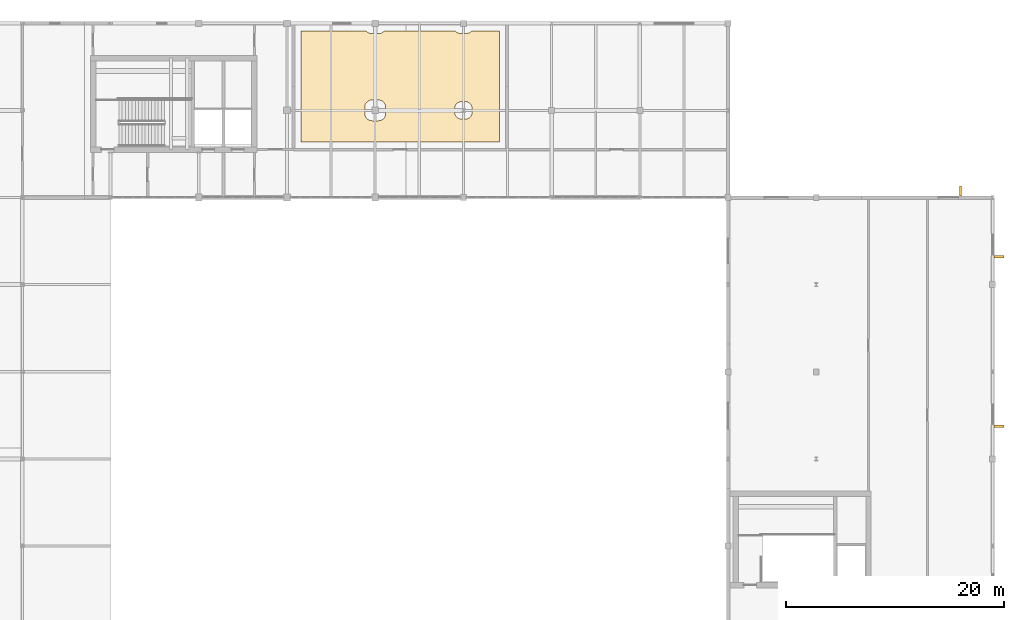
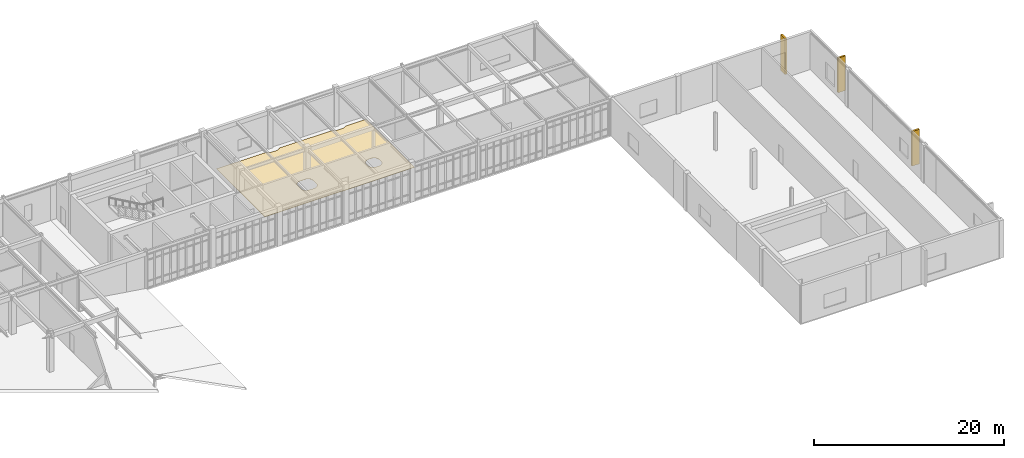
# One storey, part 70 of 70: 3 shading devices, 1 covering.
"""IFC4 building model written with IfcOpenShell, lengths in metres."""

import ifcopenshell
import ifcopenshell.guid

model = None  # the IFC model being written
_history = None  # IfcOwnerHistory: only IFC2X3 demands one
_inside = {}  # id of a spatial element -> (the spatial element, [elements in it])
_under = {}  # id of a project, library or spatial element -> (it, [spatial elements below it])
_declared = {}  # id of a project -> (the project, [libraries it declares])
_typed = {}  # id of a type object -> (the type object, [elements of that type])
_made_of = {}  # id of a material, layer set ... -> (it, [elements and type objects made of it])


def new_model(schema):
    """Start an empty IFC model of exactly this schema.

    Asked for "IFC4X3", IfcOpenShell would pick the latest addendum, in which some entities
    have other attributes; the version numbers below select the first issue.
    IFC2X3 requires an IfcOwnerHistory on every rooted entity: one is made here for all.
    """
    global model, _history
    if schema == "IFC4X3":
        model = ifcopenshell.file(schema_version=(4, 3, 0, 0))
    else:
        model = ifcopenshell.file(schema=schema)
    _inside.clear()
    _under.clear()
    _declared.clear()
    _typed.clear()
    _made_of.clear()
    _history = None
    if model.schema == "IFC2X3":
        org = make("IfcOrganization", Name="unknown")
        user = make(
            "IfcPersonAndOrganization",
            ThePerson=make("IfcPerson", FamilyName="unknown"),
            TheOrganization=org,
        )
        app = make(
            "IfcApplication",
            ApplicationDeveloper=org,
            Version="unknown",
            ApplicationFullName="unknown",
            ApplicationIdentifier="unknown",
        )
        _history = make(
            "IfcOwnerHistory",
            OwningUser=user,
            OwningApplication=app,
            ChangeAction="ADDED",
            CreationDate=0,
        )
    return model


def make(cls, **values):
    """One entity of the class cls with the attributes given. An attribute that is None is left unset."""
    return model.create_entity(
        cls, **{name: value for name, value in values.items() if value is not None}
    )


def rooted(cls, **values):
    """An entity with a GlobalId (a new one), such as an element, a storey or a relation."""
    return make(cls, GlobalId=ifcopenshell.guid.new(), OwnerHistory=_history, **values)


def si_unit(unit_type, name, prefix=None):
    """IfcSIUnit, for example si_unit("LENGTHUNIT", "METRE", prefix="MILLI")."""
    return make("IfcSIUnit", UnitType=unit_type, Prefix=prefix, Name=name)


def assignment(units):
    """IfcUnitAssignment: the units of a project."""
    return None if units is None else make("IfcUnitAssignment", Units=units)


def point(xyz):
    """IfcCartesianPoint."""
    return None if xyz is None else make("IfcCartesianPoint", Coordinates=xyz)


def direction(xyz):
    """IfcDirection."""
    return None if xyz is None else make("IfcDirection", DirectionRatios=xyz)


def frame(location, z_axis=None, x_axis=None):
    """IfcAxis2Placement3D, a coordinate frame: its origin and axes. An axis left out is left unset."""
    return make(
        "IfcAxis2Placement3D",
        Location=point(location),
        Axis=direction(z_axis),
        RefDirection=direction(x_axis),
    )


def frame_2d(location, x_axis=None):
    """IfcAxis2Placement2D, a coordinate frame in the plane: its origin and x axis."""
    return make(
        "IfcAxis2Placement2D", Location=point(location), RefDirection=direction(x_axis)
    )


def origin():
    """The frame at (0, 0, 0) with its axes left unset."""
    return frame((0.0, 0.0, 0.0))


def origin_2d():
    """The frame at (0, 0) in the plane with its x axis left unset."""
    return frame_2d((0.0, 0.0))


def place(relative_to, where):
    """IfcLocalPlacement: puts the frame where relative to a parent placement (None: the world)."""
    return make(
        "IfcLocalPlacement", PlacementRelTo=relative_to, RelativePlacement=where
    )


def context(
    kind, dimensions, precision=None, world=None, true_north=None, identifier=None
):
    """IfcGeometricRepresentationContext, for example the 3D "Model" context."""
    return make(
        "IfcGeometricRepresentationContext",
        ContextIdentifier=identifier,
        ContextType=kind,
        CoordinateSpaceDimension=dimensions,
        Precision=precision,
        WorldCoordinateSystem=world,
        TrueNorth=true_north,
    )


def subcontext(parent, identifier, kind, view, scale=None):
    """IfcGeometricRepresentationSubContext, for example "Body" below "Model"."""
    return make(
        "IfcGeometricRepresentationSubContext",
        ContextIdentifier=identifier,
        ContextType=kind,
        ParentContext=parent,
        TargetScale=scale,
        TargetView=view,
    )


def project(units=None, contexts=None):
    """IfcProject with its units and contexts."""
    return rooted(
        "IfcProject",
        Name="project",
        RepresentationContexts=contexts,
        UnitsInContext=assignment(units),
    )


def spatial(cls, under=None, at=None, **own):
    """A site, building, storey or space (cls), placed at a placement, below another one or the project."""
    s = rooted(cls, ObjectPlacement=at, **own)
    if under is not None:
        _under.setdefault(under.id(), (under, []))[1].append(s)
    return s


def polyline(points):
    """IfcPolyline through the points."""
    return make("IfcPolyline", Points=[point(p) for p in points])


def profile(cls, at=None, kind="AREA", **sizes):
    """A parametric profile (cls). Its sizes go by their IFC names, for example OverallWidth=200.0."""
    return make(cls, ProfileType=kind, Position=at, **sizes)


def rectangle(**sizes):
    """IfcRectangleProfileDef."""
    return profile("IfcRectangleProfileDef", **sizes)


def outline(outer, holes=None, kind="AREA"):
    """IfcArbitraryClosedProfileDef: a profile drawn as a closed curve; with holes, ...WithVoids."""
    if holes is None:
        return make("IfcArbitraryClosedProfileDef", ProfileType=kind, OuterCurve=outer)
    return make(
        "IfcArbitraryProfileDefWithVoids",
        ProfileType=kind,
        OuterCurve=outer,
        InnerCurves=holes,
    )


def extrude(swept, where, along, depth):
    """IfcExtrudedAreaSolid: the profile swept, set in the frame where, extruded along a direction by depth."""
    return make(
        "IfcExtrudedAreaSolid",
        SweptArea=swept,
        Position=where,
        ExtrudedDirection=direction(along),
        Depth=depth,
    )


def shape(context_of_items, identifier, shape_type, items):
    """IfcShapeRepresentation: the items that make up one representation, for example the "Body"."""
    return make(
        "IfcShapeRepresentation",
        ContextOfItems=context_of_items,
        RepresentationIdentifier=identifier,
        RepresentationType=shape_type,
        Items=items,
    )


def material(Name=None, Category=None):
    """IfcMaterial."""
    return make("IfcMaterial", Name=Name, Category=Category)


def layer(
    of_material, thickness, ventilated=None, Name=None, Category=None, Priority=None
):
    """IfcMaterialLayer: one layer of a wall or slab, of a material (None: an air gap)."""
    return make(
        "IfcMaterialLayer",
        Material=of_material,
        LayerThickness=thickness,
        IsVentilated=ventilated,
        Name=Name,
        Category=Category,
        Priority=Priority,
    )


def layer_set(layers, Name=None):
    """IfcMaterialLayerSet."""
    return make("IfcMaterialLayerSet", MaterialLayers=layers, LayerSetName=Name)


def material_profile(
    of_material, cross_section, Name=None, Category=None, Priority=None
):
    """IfcMaterialProfile: a cross section and its material."""
    return make(
        "IfcMaterialProfile",
        Name=Name,
        Material=of_material,
        Profile=cross_section,
        Priority=Priority,
        Category=Category,
    )


def profile_set(profiles, Name=None, composite=None):
    """IfcMaterialProfileSet."""
    return make(
        "IfcMaterialProfileSet",
        Name=Name,
        MaterialProfiles=profiles,
        CompositeProfile=composite,
    )


def made_of(thing, what):
    """Note that an element or type object is made of a material, layer set ...; save() writes the relation."""
    if what is not None:
        _made_of.setdefault(what.id(), (what, []))[1].append(thing)
    return thing


def type_object(cls, material=None, **own):
    """A type object (cls), such as IfcWallType, which elements share."""
    return made_of(rooted(cls, **own), material)


def element(
    cls,
    number,
    at=None,
    inside=None,
    cuts=None,
    type_object=None,
    material=None,
    context=None,
    identifier="Body",
    shape_type=None,
    held_by="IfcProductDefinitionShape",
    body=None,
    shapes=None,
    **own,
):
    """One element of the class cls, such as IfcWall. Its Tag is "e" and its number.

    at: its placement. inside: the storey or other place that contains it. cuts: it is an
    opening in that element (IfcRelVoidsElement). A single representation is given by context,
    identifier, shape_type and body (its items); several are given by shapes. held_by: the class
    of the entity that holds the representations. save() writes the other relations.
    """
    e = rooted(cls, Tag="e%d" % number, ObjectPlacement=at, **own)
    if body is not None:
        shapes = [shape(context, identifier, shape_type, body)]
    if shapes is not None:
        e.Representation = make(held_by, Representations=shapes)
    if inside is not None:
        _inside.setdefault(inside.id(), (inside, []))[1].append(e)
    if cuts is not None:
        rooted(
            "IfcRelVoidsElement", RelatingBuildingElement=cuts, RelatedOpeningElement=e
        )
    if type_object is not None:
        _typed.setdefault(type_object.id(), (type_object, []))[1].append(e)
    return made_of(e, material)


def aggregate(whole, parts):
    """IfcRelAggregates: a whole, such as a stair, and the parts it consists of."""
    return rooted("IfcRelAggregates", RelatingObject=whole, RelatedObjects=parts)


def save(model, path):
    """Write the relations noted so far, then the file.

    IfcRelAggregates (storeys below a building ...), IfcRelContainedInSpatialStructure (elements
    in a storey), IfcRelDefinesByType, IfcRelAssociatesMaterial and IfcRelDeclares: one each for
    every whole, place, type object, material and project.
    """
    for whole, parts in _under.values():
        aggregate(whole, parts)
    for where, things in _inside.values():
        rooted(
            "IfcRelContainedInSpatialStructure",
            RelatedElements=things,
            RelatingStructure=where,
        )
    for kind, things in _typed.values():
        rooted("IfcRelDefinesByType", RelatedObjects=things, RelatingType=kind)
    for what, things in _made_of.values():
        rooted("IfcRelAssociatesMaterial", RelatedObjects=things, RelatingMaterial=what)
    for by, libraries in _declared.values():
        rooted("IfcRelDeclares", RelatingContext=by, RelatedDefinitions=libraries)
    model.write(path)


model = new_model("IFC4")

# Units and contexts
model_context = context("Model", 3, precision=1e-05, world=origin(), true_north=direction((0.0, 1.0)))
body_context = subcontext(model_context, "Body", "Model", "MODEL_VIEW")
ifc_project = project(units=[si_unit("LENGTHUNIT", "METRE"), si_unit("AREAUNIT", "SQUARE_METRE"), si_unit("VOLUMEUNIT", "CUBIC_METRE"), si_unit("PLANEANGLEUNIT", "RADIAN"), si_unit("MASSUNIT", "GRAM", prefix="KILO")], contexts=[model_context])

# Site, building, storey
site_placement = place(None, origin())
site = spatial("IfcSite", under=ifc_project, at=site_placement, CompositionType="ELEMENT")
building_placement = place(site_placement, origin())
building = spatial("IfcBuilding", under=site, at=building_placement, Name="Tarnveldt Square Police Headquarters", CompositionType="ELEMENT")
storey_placement = place(building_placement, frame((0.0, 0.0, 19.800048828125)))
storey = spatial("IfcBuildingStorey", under=building, at=storey_placement, Name="L04", CompositionType="ELEMENT", Elevation=19.800048828125)

# Covering
ifc_material_1 = material(Name="Polished cementitious terrazzo flooring", Category="concrete")
ifc_layer = layer(ifc_material_1, 0.02490234375)
ifc_layer_set = layer_set([ifc_layer], Name="Polished cementitious terrazzo flooring")
covering_type = type_object("IfcCoveringType", Name="COV-FLR-25", PredefinedType="FLOORING", material=ifc_layer_set)
covering_placement = place(storey_placement, origin())
element("IfcCovering", 1, at=covering_placement, inside=storey, type_object=covering_type, Name="Forensic Firearms and Water-Tank Ballistics Laboratory Terrazzo Finish Flooring", PredefinedType="FLOORING", context=body_context, shape_type="SweptSolid", body=[
    extrude(outline(polyline([(72.0849609375, 111.300048828125), (72.095458984375, 111.28564453125), (72.138427734375, 111.23828125), (72.185546875, 111.195556640625), (72.23681640625, 111.157470703125), (72.29150390625, 111.124755859375), (72.349365234375, 111.097412109375), (72.409423828125, 111.075927734375), (72.47119140625, 111.060546875), (72.5341796875, 111.051025390625), (72.597900390625, 111.048095703125), (73.201904296875, 111.048095703125), (73.265625, 111.051025390625), (73.328857421875, 111.060546875), (73.390625, 111.075927734375), (73.45068359375, 111.097412109375), (73.50830078125, 111.124755859375), (73.563232421875, 111.157470703125), (73.6142578125, 111.195556640625), (73.66162109375, 111.23828125), (73.704345703125, 111.28564453125), (73.715087890625, 111.300048828125), (80.230224609375, 111.300048828125), (80.263427734375, 111.263427734375), (80.310546875, 111.220458984375), (80.36181640625, 111.1826171875), (80.41650390625, 111.149658203125), (80.474365234375, 111.12255859375), (80.534423828125, 111.10107421875), (80.59619140625, 111.08544921875), (80.6591796875, 111.076171875), (80.722900390625, 111.072998046875), (81.277099609375, 111.072998046875), (81.3408203125, 111.076171875), (81.40380859375, 111.08544921875), (81.465576171875, 111.10107421875), (81.525634765625, 111.12255859375), (81.58349609375, 111.149658203125), (81.63818359375, 111.1826171875), (81.689453125, 111.220458984375), (81.736572265625, 111.263427734375), (81.769775390625, 111.300048828125), (84.300048828125, 111.300048828125), (84.300048828125, 101.10009765625), (66.10009765625, 101.10009765625), (66.10009765625, 111.300048828125), (72.0849609375, 111.300048828125)]), holes=[polyline([(80.845458984375, 104.805908203125), (80.78173828125, 104.802978515625), (80.71875, 104.79345703125), (80.65673828125, 104.778076171875), (80.5966796875, 104.756591796875), (80.5390625, 104.729248046875), (80.484375, 104.696533203125), (80.43310546875, 104.658447265625), (80.385986328125, 104.61572265625), (80.343017578125, 104.568359375), (80.304931640625, 104.51708984375), (80.272216796875, 104.46240234375), (80.244873046875, 104.40478515625), (80.223388671875, 104.3447265625), (80.2080078125, 104.28271484375), (80.19873046875, 104.2197265625), (80.195556640625, 104.156005859375), (80.195556640625, 103.843994140625), (80.19873046875, 103.7802734375), (80.2080078125, 103.71728515625), (80.223388671875, 103.6552734375), (80.244873046875, 103.59521484375), (80.272216796875, 103.53759765625), (80.304931640625, 103.48291015625), (80.343017578125, 103.431640625), (80.385986328125, 103.38427734375), (80.43310546875, 103.341552734375), (80.484375, 103.303466796875), (80.5390625, 103.270751953125), (80.5966796875, 103.243408203125), (80.65673828125, 103.221923828125), (80.71875, 103.20654296875), (80.78173828125, 103.197021484375), (80.845458984375, 103.194091796875), (81.154541015625, 103.194091796875), (81.21826171875, 103.197021484375), (81.28125, 103.20654296875), (81.34326171875, 103.221923828125), (81.4033203125, 103.243408203125), (81.4609375, 103.270751953125), (81.515625, 103.303466796875), (81.56689453125, 103.341552734375), (81.614013671875, 103.38427734375), (81.656982421875, 103.431640625), (81.695068359375, 103.48291015625), (81.727783203125, 103.53759765625), (81.755126953125, 103.59521484375), (81.776611328125, 103.6552734375), (81.7919921875, 103.71728515625), (81.80126953125, 103.7802734375), (81.804443359375, 103.843994140625), (81.804443359375, 104.156005859375), (81.80126953125, 104.2197265625), (81.7919921875, 104.28271484375), (81.776611328125, 104.3447265625), (81.755126953125, 104.40478515625), (81.727783203125, 104.46240234375), (81.695068359375, 104.51708984375), (81.656982421875, 104.568359375), (81.614013671875, 104.61572265625), (81.56689453125, 104.658447265625), (81.515625, 104.696533203125), (81.4609375, 104.729248046875), (81.4033203125, 104.756591796875), (81.34326171875, 104.778076171875), (81.28125, 104.79345703125), (81.21826171875, 104.802978515625), (81.154541015625, 104.805908203125), (80.845458984375, 104.805908203125)]), polyline([(72.597900390625, 104.951904296875), (72.5341796875, 104.948974609375), (72.47119140625, 104.939453125), (72.409423828125, 104.924072265625), (72.349365234375, 104.902587890625), (72.29150390625, 104.875244140625), (72.23681640625, 104.842529296875), (72.185546875, 104.804443359375), (72.138427734375, 104.76171875), (72.095458984375, 104.71435546875), (72.0576171875, 104.6630859375), (72.024658203125, 104.6083984375), (71.99755859375, 104.55078125), (71.97607421875, 104.49072265625), (71.96044921875, 104.4287109375), (71.951171875, 104.36572265625), (71.947998046875, 104.302001953125), (71.947998046875, 103.697998046875), (71.951171875, 103.63427734375), (71.96044921875, 103.5712890625), (71.97607421875, 103.50927734375), (71.99755859375, 103.44921875), (72.024658203125, 103.3916015625), (72.0576171875, 103.3369140625), (72.095458984375, 103.28564453125), (72.138427734375, 103.23828125), (72.185546875, 103.195556640625), (72.23681640625, 103.157470703125), (72.29150390625, 103.124755859375), (72.349365234375, 103.097412109375), (72.409423828125, 103.075927734375), (72.47119140625, 103.060546875), (72.5341796875, 103.051025390625), (72.597900390625, 103.048095703125), (73.201904296875, 103.048095703125), (73.265625, 103.051025390625), (73.328857421875, 103.060546875), (73.390625, 103.075927734375), (73.45068359375, 103.097412109375), (73.50830078125, 103.124755859375), (73.563232421875, 103.157470703125), (73.6142578125, 103.195556640625), (73.66162109375, 103.23828125), (73.704345703125, 103.28564453125), (73.742431640625, 103.3369140625), (73.775146484375, 103.3916015625), (73.802490234375, 103.44921875), (73.823974609375, 103.50927734375), (73.839599609375, 103.5712890625), (73.848876953125, 103.63427734375), (73.85205078125, 103.697998046875), (73.85205078125, 104.302001953125), (73.848876953125, 104.36572265625), (73.839599609375, 104.4287109375), (73.823974609375, 104.49072265625), (73.802490234375, 104.55078125), (73.775146484375, 104.6083984375), (73.742431640625, 104.6630859375), (73.704345703125, 104.71435546875), (73.66162109375, 104.76171875), (73.6142578125, 104.804443359375), (73.563232421875, 104.842529296875), (73.50830078125, 104.875244140625), (73.45068359375, 104.902587890625), (73.390625, 104.924072265625), (73.328857421875, 104.939453125), (73.265625, 104.948974609375), (73.201904296875, 104.951904296875), (72.597900390625, 104.951904296875)])]), origin(), (0.0, 0.0, 1.0), 0.02490234375),
])

# Shading devices
ifc_material_2 = material(Name="Precast concrete 35 MPa", Category="concrete")
ifc_material_profile = material_profile(ifc_material_2, rectangle(XDim=0.219970703125, YDim=0.89990234375, at=origin_2d()), Name="PC-FIN220x900")
ifc_profile_set = profile_set([ifc_material_profile], Name="Precast concrete 35 MPa")
shading_device_type = type_object("IfcShadingDeviceType", Name="SHD-FIN-900", PredefinedType="USERDEFINED", material=ifc_profile_set)
for number, where, z_axis, x_axis, name in (
    (2, (130.18994140625, 74.9833984375, 0.14990234375), (0.0, 0.0, 1.0), (0.0, 1.0, 0.0), "L04 Precast Deep-Reveal Brutalist Fin 050"),
    (3, (130.18994140625, 90.566650390625, 0.14990234375), (0.0, 0.0, 1.0), (0.0, 1.0, 0.0), "L04 Precast Deep-Reveal Brutalist Fin 051"),
):
    element("IfcShadingDevice", number, at=place(storey_placement, frame(where, z_axis=z_axis, x_axis=x_axis)), inside=storey, type_object=shading_device_type, Name=name, ObjectType="SOLAR SHADING FIN", PredefinedType="USERDEFINED", context=body_context, shape_type="SweptSolid", body=[
        extrude(rectangle(XDim=0.219970703125, YDim=0.89990234375, at=origin_2d()), origin(), (0.0, 0.0, 1.0), 4.46044921875),
    ])
shading_device_placement = place(storey_placement, frame((126.64990234375, 96.590087890625, 0.14990234375), z_axis=(0.0, 0.0, 1.0), x_axis=(-1.0, 0.0, 0.0)))
element("IfcShadingDevice", 4, at=shading_device_placement, inside=storey, type_object=shading_device_type, Name="L04 Precast Deep-Reveal Brutalist Fin 052", ObjectType="SOLAR SHADING FIN", PredefinedType="USERDEFINED", context=body_context, shape_type="SweptSolid", body=[
    extrude(rectangle(XDim=0.219970703125, YDim=0.89990234375, at=origin_2d()), origin(), (0.0, 0.0, 1.0), 4.66015625),
])

save(model, "model.ifc")
